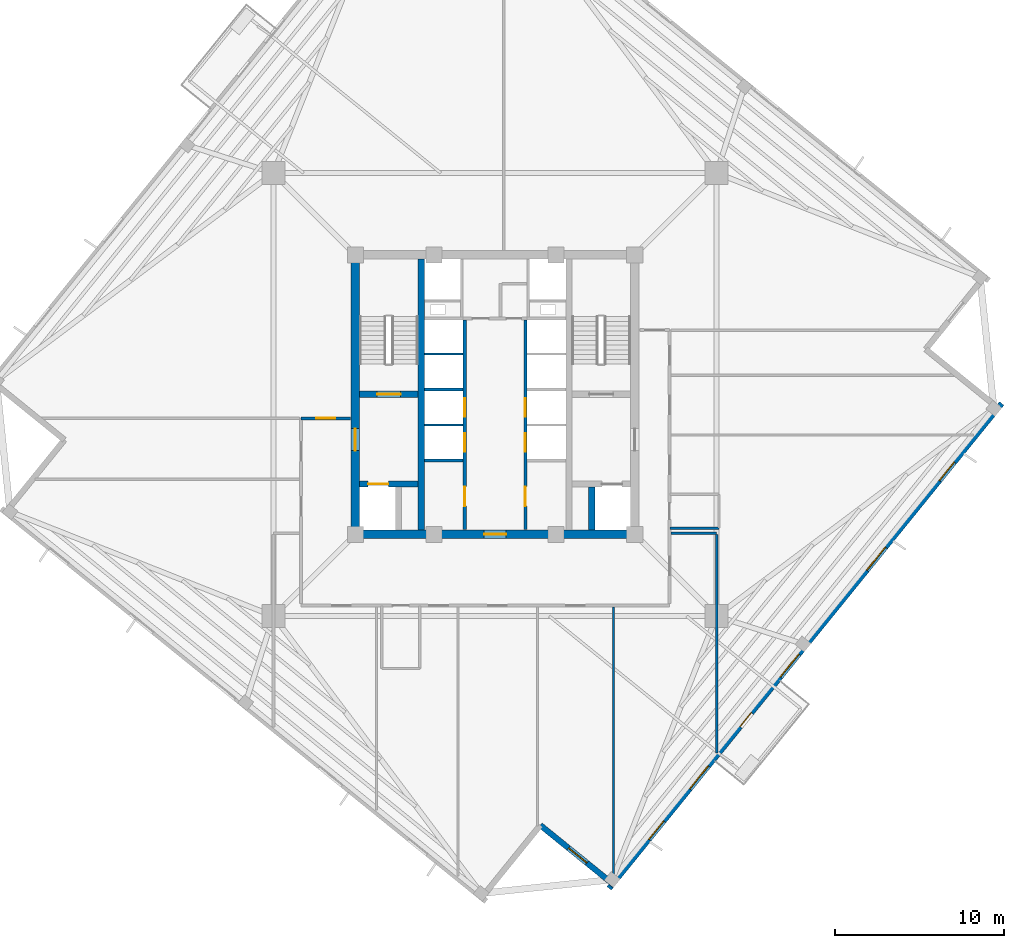
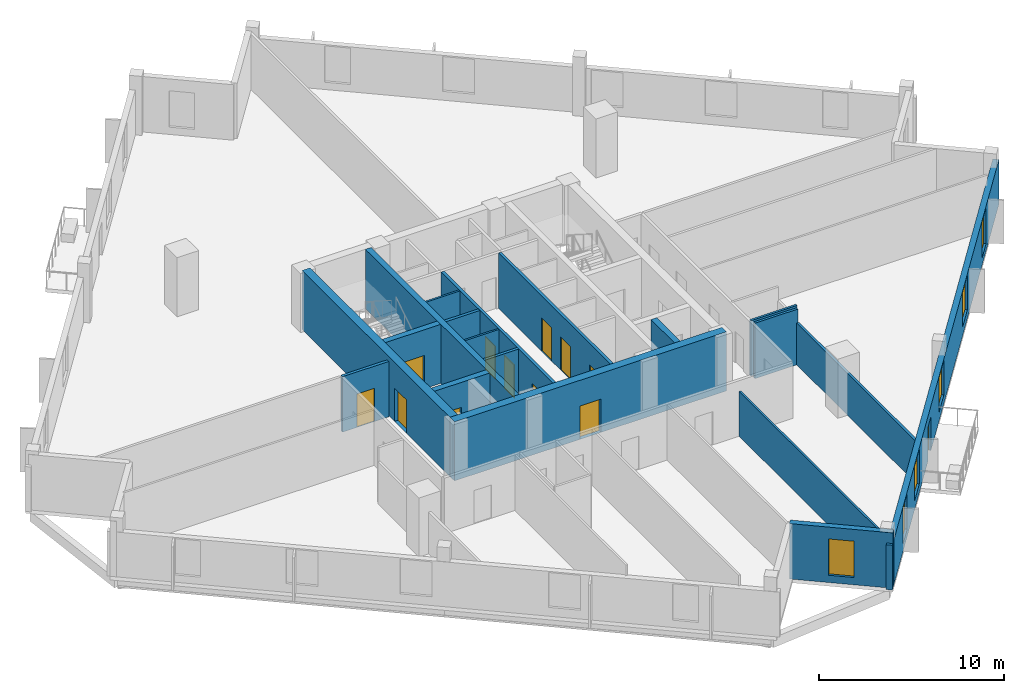
# One storey, part 3 of 9: 19 walls, 12 doors, 6 windows, 18 openings.
"""IFC4 building model written with IfcOpenShell, lengths in metres."""

from ifc_helpers import new_model, si_unit, direction, frame, frame_2d, origin, place, context, subcontext, project, spatial, rectangle, extrude, source, transform, mapped, material, layer, layer_set, type_object, element, fill, save


model = new_model("IFC4")

# Units and contexts
model_context = context("Model", 3, precision=1e-05, world=origin(), true_north=direction((0.0, 1.0)))
body_context = subcontext(model_context, "Body", "Model", "MODEL_VIEW")
ifc_project = project(units=[si_unit("LENGTHUNIT", "METRE"), si_unit("AREAUNIT", "SQUARE_METRE"), si_unit("VOLUMEUNIT", "CUBIC_METRE"), si_unit("PLANEANGLEUNIT", "RADIAN"), si_unit("MASSUNIT", "GRAM", prefix="KILO"), si_unit("THERMODYNAMICTEMPERATUREUNIT", "KELVIN")], contexts=[model_context])

# Site, building, storey
site_placement = place(None, origin())
site = spatial("IfcSite", under=ifc_project, at=site_placement, CompositionType="ELEMENT")
building_placement = place(site_placement, origin())
building = spatial("IfcBuilding", under=site, at=building_placement, Name="Kosmvard Interchange Tower", CompositionType="ELEMENT")
storey_placement = place(building_placement, frame((0.0, 0.0, 213.39990234375)))
storey = spatial("IfcBuildingStorey", under=building, at=storey_placement, Name="L51", CompositionType="ELEMENT", Elevation=213.39990234375)

# Walls
ifc_material_1 = material(Name="Acoustic gypsum partition system")
ifc_layer_1 = layer(ifc_material_1, 0.14990234375, Name="Acoustic gypsum partition system")
ifc_layer_set_1 = layer_set([ifc_layer_1], Name="Acoustic gypsum partition system")
wall_type_1 = type_object("IfcWallType", Name="Acoustic Suite & Meeting Partition 150", PredefinedType="PARTITIONING", material=ifc_layer_set_1)
wall_1_placement = place(storey_placement, frame((10.39501953125, -8.199951171875, 0.0), z_axis=(0.0, 0.0, 1.0), x_axis=(1.0, 0.0, 0.0)))
element("IfcWall", 1, at=wall_1_placement, inside=storey, type_object=wall_type_1, Name="L51 Room Partition 12.1", PredefinedType="PARTITIONING", context=body_context, shape_type="SweptSolid", body=[
    extrude(rectangle(XDim=2.68603515625, YDim=0.14990234375, at=frame_2d((1.343017578125, 0.0))), origin(), (0.0, 0.0, 1.0), 3.66015625),
])
wall_2_placement = place(storey_placement, frame((13.0810546875, -8.27490234375, 0.0), z_axis=(0.0, 0.0, 1.0), x_axis=(0.0, -1.0, 0.0)))
element("IfcWall", 2, at=wall_2_placement, inside=storey, type_object=wall_type_1, Name="L51 Room Partition 13.1", PredefinedType="PARTITIONING", context=body_context, shape_type="SweptSolid", body=[
    extrude(rectangle(XDim=12.87353515625, YDim=0.14990234375, at=frame_2d((6.436767578125, 0.0))), origin(), (0.0, 0.0, 1.0), 2.760009765625),
])

# Wall, openings, doors
ifc_material_2 = material(Name="Fire-rated gypsum partition system")
ifc_layer_2 = layer(ifc_material_2, 0.179931640625, Name="Fire-rated gypsum partition system")
ifc_layer_set_2 = layer_set([ifc_layer_2], Name="Fire-rated gypsum partition system")
wall_type_2 = type_object("IfcWallType", Name="Corridor & Hotel Compartment Partition 180", PredefinedType="PARTITIONING", material=ifc_layer_set_2)
wall_3_placement = place(storey_placement, frame((-1.7900390625, -7.97998046875, 0.0), z_axis=(0.0, 0.0, 1.0), x_axis=(0.0, 1.0, 0.0)))
wall_3 = element("IfcWall", 3, at=wall_3_placement, inside=storey, type_object=wall_type_2, Name="L51 West Lift Bank Front Wall", PredefinedType="PARTITIONING", context=body_context, shape_type="SweptSolid", body=[
    extrude(rectangle(XDim=12.3798828125, YDim=0.179931640625, at=frame_2d((6.18994140625, 0.0))), origin(), (0.0, 0.0, 1.0), 3.66015625),
])
opening_1_placement = place(wall_3_placement, frame((4.60009765625, 0.0, 0.0)))
opening_1 = element("IfcOpeningElement", 4, at=opening_1_placement, cuts=wall_3, Name="Opening LD-PL-M1-L51", PredefinedType="OPENING", context=body_context, shape_type="SweptSolid", body=[
    extrude(rectangle(XDim=1.10009765625, YDim=2.199951171875, at=frame_2d((0.550048828125, 1.10009765625))), frame((0.0, 0.10009765625, 0.0), z_axis=(0.0, -1.0, 0.0), x_axis=(1.0, 0.0, 0.0)), (0.0, 0.0, 1.0), 0.199951171875),
])
opening_2_placement = place(wall_3_placement, frame((6.659912109375, 0.0, 0.0)))
opening_2 = element("IfcOpeningElement", 5, at=opening_2_placement, cuts=wall_3, Name="Opening LD-PL-M2-L51", PredefinedType="OPENING", context=body_context, shape_type="SweptSolid", body=[
    extrude(rectangle(XDim=1.10009765625, YDim=2.199951171875, at=frame_2d((0.550048828125, 1.10009765625))), frame((0.0, 0.10009765625, 0.0), z_axis=(0.0, -1.0, 0.0), x_axis=(1.0, 0.0, 0.0)), (0.0, 0.0, 1.0), 0.199951171875),
])
opening_3_placement = place(wall_3_placement, frame((1.39990234375, 0.0, 0.0)))
opening_3 = element("IfcOpeningElement", 6, at=opening_3_placement, cuts=wall_3, Name="Opening L51-CD1", PredefinedType="OPENING", context=body_context, shape_type="SweptSolid", body=[
    extrude(rectangle(XDim=1.14990234375, YDim=2.25, at=frame_2d((0.574951171875, 1.125))), frame((0.0, 0.10009765625, 0.0), z_axis=(0.0, -1.0, 0.0), x_axis=(1.0, 0.0, 0.0)), (0.0, 0.0, 1.0), 0.199951171875),
])
ifc_material_3 = material(Name="Painted fire-rated steel leaf", Category="steel")
door_type_1 = type_object("IfcDoorType", Name="Plant & Riser Fire Door 1150x2250 EI60", OperationType="NOTDEFINED", PredefinedType="DOOR", material=ifc_material_3)
shared_shape_1 = source(origin(), body_context, "Body", "SweptSolid", [
    extrude(rectangle(XDim=1.14990234375, YDim=2.25, at=frame_2d((0.574951171875, 1.125))), frame((0.0, 0.02490234375, 0.0), z_axis=(0.0, -1.0, 0.0), x_axis=(1.0, 0.0, 0.0)), (0.0, 0.0, 1.0), 0.050048828125),
])
door_1_placement = place(opening_3_placement, origin())
door_1 = element("IfcDoor", 7, at=door_1_placement, inside=storey, type_object=door_type_1, Name="L51 Core Switch Door", OperationType="SINGLE_SWING_LEFT", OverallHeight=2.25, OverallWidth=1.14990234375, PredefinedType="DOOR", context=body_context, shape_type="MappedRepresentation", body=[
    mapped(shared_shape_1, transform((0.0, 0.0, 0.0), scale=1.0)),
])
fill(opening_3, door_1)
ifc_material_4 = material(Name="Brushed stainless steel sliding leaf", Category="steel")
door_type_2 = type_object("IfcDoorType", Name="Passenger Lift Sliding Landing Door 1100x2200 EI60", OperationType="DOUBLE_DOOR_SLIDING", PredefinedType="DOOR", material=ifc_material_4)
shared_shape_2 = source(origin(), body_context, "Body", "SweptSolid", [
    extrude(rectangle(XDim=1.10009765625, YDim=2.199951171875, at=frame_2d((0.550048828125, 1.10009765625))), frame((0.0, 0.02490234375, 0.0), z_axis=(0.0, -1.0, 0.0), x_axis=(1.0, 0.0, 0.0)), (0.0, 0.0, 1.0), 0.050048828125),
])
door_2_placement = place(opening_1_placement, frame((1.10009765625, 0.0, 0.0), z_axis=(0.0, 0.0, 1.0), x_axis=(-1.0, 0.0, 0.0)))
door_2 = element("IfcDoor", 8, at=door_2_placement, inside=storey, type_object=door_type_2, Name="Lift PL-M1 Landing Door L51", OperationType="DOUBLE_DOOR_SLIDING", OverallHeight=2.199951171875, OverallWidth=1.10009765625, PredefinedType="DOOR", context=body_context, shape_type="MappedRepresentation", body=[
    mapped(shared_shape_2, transform((0.0, 0.0, 0.0), scale=1.0)),
])
fill(opening_1, door_2)
door_3_placement = place(opening_2_placement, frame((1.10009765625, 0.0, 0.0), z_axis=(0.0, 0.0, 1.0), x_axis=(-1.0, 0.0, 0.0)))
door_3 = element("IfcDoor", 9, at=door_3_placement, inside=storey, type_object=door_type_2, Name="Lift PL-M2 Landing Door L51", OperationType="DOUBLE_DOOR_SLIDING", OverallHeight=2.199951171875, OverallWidth=1.10009765625, PredefinedType="DOOR", context=body_context, shape_type="MappedRepresentation", body=[
    mapped(shared_shape_2, transform((0.0, 0.0, 0.0), scale=1.0)),
])
fill(opening_2, door_3)

wall_4_placement = place(storey_placement, frame((1.7900390625, -7.97998046875, 0.0), z_axis=(0.0, 0.0, 1.0), x_axis=(0.0, 1.0, 0.0)))
wall_4 = element("IfcWall", 10, at=wall_4_placement, inside=storey, type_object=wall_type_2, Name="L51 East Lift Bank Front Wall", PredefinedType="PARTITIONING", context=body_context, shape_type="SweptSolid", body=[
    extrude(rectangle(XDim=12.3798828125, YDim=0.179931640625, at=frame_2d((6.18994140625, 0.0))), origin(), (0.0, 0.0, 1.0), 3.66015625),
])
opening_4_placement = place(wall_4_placement, frame((4.60009765625, 0.0, 0.0)))
opening_4 = element("IfcOpeningElement", 11, at=opening_4_placement, cuts=wall_4, Name="Opening LD-PL-M3-L51", PredefinedType="OPENING", context=body_context, shape_type="SweptSolid", body=[
    extrude(rectangle(XDim=1.10009765625, YDim=2.199951171875, at=frame_2d((0.550048828125, 1.10009765625))), frame((0.0, 0.10009765625, 0.0), z_axis=(0.0, -1.0, 0.0), x_axis=(1.0, 0.0, 0.0)), (0.0, 0.0, 1.0), 0.199951171875),
])
opening_5_placement = place(wall_4_placement, frame((6.659912109375, 0.0, 0.0)))
opening_5 = element("IfcOpeningElement", 12, at=opening_5_placement, cuts=wall_4, Name="Opening LD-PL-M4-L51", PredefinedType="OPENING", context=body_context, shape_type="SweptSolid", body=[
    extrude(rectangle(XDim=1.10009765625, YDim=2.199951171875, at=frame_2d((0.550048828125, 1.10009765625))), frame((0.0, 0.10009765625, 0.0), z_axis=(0.0, -1.0, 0.0), x_axis=(1.0, 0.0, 0.0)), (0.0, 0.0, 1.0), 0.199951171875),
])
opening_6_placement = place(wall_4_placement, frame((1.39990234375, 0.0, 0.0)))
opening_6 = element("IfcOpeningElement", 13, at=opening_6_placement, cuts=wall_4, Name="Opening L51-CD2", PredefinedType="OPENING", context=body_context, shape_type="SweptSolid", body=[
    extrude(rectangle(XDim=1.14990234375, YDim=2.25, at=frame_2d((0.574951171875, 1.125))), frame((0.0, 0.10009765625, 0.0), z_axis=(0.0, -1.0, 0.0), x_axis=(1.0, 0.0, 0.0)), (0.0, 0.0, 1.0), 0.199951171875),
])
door_4_placement = place(opening_6_placement, frame((1.14990234375, 0.0, 0.0), z_axis=(0.0, 0.0, 1.0), x_axis=(-1.0, 0.0, 0.0)))
door_4 = element("IfcDoor", 14, at=door_4_placement, inside=storey, type_object=door_type_1, Name="L51 Core BMS Door", OperationType="SINGLE_SWING_RIGHT", OverallHeight=2.25, OverallWidth=1.14990234375, PredefinedType="DOOR", context=body_context, shape_type="MappedRepresentation", body=[
    mapped(shared_shape_1, transform((0.0, 0.0, 0.0), scale=1.0)),
])
fill(opening_6, door_4)
door_5_placement = place(opening_4_placement, origin())
door_5 = element("IfcDoor", 15, at=door_5_placement, inside=storey, type_object=door_type_2, Name="Lift PL-M3 Landing Door L51", OperationType="DOUBLE_DOOR_SLIDING", OverallHeight=2.199951171875, OverallWidth=1.10009765625, PredefinedType="DOOR", context=body_context, shape_type="MappedRepresentation", body=[
    mapped(shared_shape_2, transform((0.0, 0.0, 0.0), scale=1.0)),
])
fill(opening_4, door_5)
door_6_placement = place(opening_5_placement, origin())
door_6 = element("IfcDoor", 16, at=door_6_placement, inside=storey, type_object=door_type_2, Name="Lift PL-M4 Landing Door L51", OperationType="DOUBLE_DOOR_SLIDING", OverallHeight=2.199951171875, OverallWidth=1.10009765625, PredefinedType="DOOR", context=body_context, shape_type="MappedRepresentation", body=[
    mapped(shared_shape_2, transform((0.0, 0.0, 0.0), scale=1.0)),
])
fill(opening_5, door_6)

# Wall, opening, door
wall_5_placement = place(storey_placement, frame((-11.449951171875, -1.39990234375, 0.0), z_axis=(0.0, 0.0, 1.0), x_axis=(1.0, 0.0, 0.0)))
wall_5 = element("IfcWall", 17, at=wall_5_placement, inside=storey, type_object=wall_type_2, Name="L51 Corridor Wall CNW", PredefinedType="PARTITIONING", context=body_context, shape_type="SweptSolid", body=[
    extrude(rectangle(XDim=2.89990234375, YDim=0.179931640625, at=frame_2d((1.449951171875, 0.0))), origin(), (0.0, 0.0, 1.0), 3.66015625),
])
opening_7_placement = place(wall_5_placement, frame((0.89990234375, 0.0, 0.0)))
opening_7 = element("IfcOpeningElement", 18, at=opening_7_placement, cuts=wall_5, Name="Opening L51-D03", PredefinedType="OPENING", context=body_context, shape_type="SweptSolid", body=[
    extrude(rectangle(XDim=1.10009765625, YDim=2.199951171875, at=frame_2d((0.550048828125, 1.10009765625))), frame((0.0, 0.10009765625, 0.0), z_axis=(0.0, -1.0, 0.0), x_axis=(1.0, 0.0, 0.0)), (0.0, 0.0, 1.0), 0.199951171875),
])
ifc_material_5 = material(Name="Engineered oak fire-rated timber", Category="wood")
door_type_3 = type_object("IfcDoorType", Name="Office Suite Entrance Door 1100x2200 FD30S", OperationType="NOTDEFINED", PredefinedType="DOOR", material=ifc_material_5)
door_7_placement = place(opening_7_placement, origin())
door_7 = element("IfcDoor", 19, at=door_7_placement, inside=storey, type_object=door_type_3, Name="L51 North-West Executive Advisory Workplace Door", OperationType="SINGLE_SWING_LEFT", OverallHeight=2.199951171875, OverallWidth=1.10009765625, PredefinedType="DOOR", context=body_context, shape_type="MappedRepresentation", body=[
    mapped(shared_shape_2, transform((0.0, 0.0, 0.0), scale=1.0)),
])
fill(opening_7, door_7)

# Wall, openings, door, windows
ifc_material_6 = material(Name="Precast concrete C45/55", Category="concrete")
ifc_layer_3 = layer(ifc_material_6, 0.340087890625, Name="Precast concrete C45/55")
ifc_layer_set_3 = layer_set([ifc_layer_3], Name="Precast concrete C45/55")
wall_type_3 = type_object("IfcWallType", Name="Mid Tower Precast Pier Wall 340 C45/55", PredefinedType="STANDARD", material=ifc_layer_set_3)
wall_6_placement = place(storey_placement, frame((6.73291015625, -29.154296875, 0.0), z_axis=(0.0, 0.0, 1.0), x_axis=(0.629325378072, 0.77714192302, 0.0)))
wall_6 = element("IfcWall", 20, at=wall_6_placement, inside=storey, type_object=wall_type_3, Name="L51 Precast Facade Wall F-S", PredefinedType="STANDARD", context=body_context, shape_type="SweptSolid", body=[
    extrude(rectangle(XDim=36.840087890625, YDim=0.340087890625, at=frame_2d((18.419921875, 0.0))), origin(), (0.0, 0.0, 1.0), 2.960205078125),
])
opening_8_placement = place(wall_6_placement, frame((12.294921875, 0.0, 0.0)))
opening_8 = element("IfcOpeningElement", 21, at=opening_8_placement, cuts=wall_6, Name="Opening L51-BDS", PredefinedType="OPENING", context=body_context, shape_type="SweptSolid", body=[
    extrude(rectangle(XDim=1.050048828125, YDim=2.25, at=frame_2d((0.52490234375, 1.125))), frame((0.0, 0.18017578125, 0.0), z_axis=(0.0, -1.0, 0.0), x_axis=(1.0, 0.0, 0.0)), (0.0, 0.0, 1.0), 0.360107421875),
])
opening_9_placement = place(wall_6_placement, frame((3.720703125, 0.0, 0.47998046875)))
opening_9 = element("IfcOpeningElement", 22, at=opening_9_placement, cuts=wall_6, Name="Opening L51-W01", PredefinedType="OPENING", context=body_context, shape_type="SweptSolid", body=[
    extrude(rectangle(XDim=1.39990234375, YDim=2.39990234375, at=frame_2d((0.699951171875, 1.199951171875))), frame((0.0, 0.18017578125, 0.0), z_axis=(0.0, -1.0, 0.0), x_axis=(1.0, 0.0, 0.0)), (0.0, 0.0, 1.0), 0.360107421875),
])
opening_10_placement = place(wall_6_placement, frame((7.55859375, 0.0, 0.580078125)))
opening_10 = element("IfcOpeningElement", 23, at=opening_10_placement, cuts=wall_6, Name="Opening L51-W02", PredefinedType="OPENING", context=body_context, shape_type="SweptSolid", body=[
    extrude(rectangle(XDim=1.75, YDim=2.300048828125, at=frame_2d((0.875, 1.14990234375))), frame((0.0, 0.18017578125, 0.0), z_axis=(0.0, -1.0, 0.0), x_axis=(1.0, 0.0, 0.0)), (0.0, 0.0, 1.0), 0.360107421875),
])
opening_11_placement = place(wall_6_placement, frame((16.05810546875, 0.0, 0.580078125)))
opening_11 = element("IfcOpeningElement", 24, at=opening_11_placement, cuts=wall_6, Name="Opening L51-W03", PredefinedType="OPENING", context=body_context, shape_type="SweptSolid", body=[
    extrude(rectangle(XDim=1.75, YDim=2.300048828125, at=frame_2d((0.875, 1.14990234375))), frame((0.0, 0.18017578125, 0.0), z_axis=(0.0, -1.0, 0.0), x_axis=(1.0, 0.0, 0.0)), (0.0, 0.0, 1.0), 0.360107421875),
])
opening_12_placement = place(wall_6_placement, frame((24.17626953125, 0.0, 0.580078125)))
opening_12 = element("IfcOpeningElement", 25, at=opening_12_placement, cuts=wall_6, Name="Opening L51-W04", PredefinedType="OPENING", context=body_context, shape_type="SweptSolid", body=[
    extrude(rectangle(XDim=1.75, YDim=2.300048828125, at=frame_2d((0.875, 1.14990234375))), frame((0.0, 0.18017578125, 0.0), z_axis=(0.0, -1.0, 0.0), x_axis=(1.0, 0.0, 0.0)), (0.0, 0.0, 1.0), 0.360107421875),
])
opening_13_placement = place(wall_6_placement, frame((30.982421875, 0.0, 0.47998046875)))
opening_13 = element("IfcOpeningElement", 26, at=opening_13_placement, cuts=wall_6, Name="Opening L51-W05", PredefinedType="OPENING", context=body_context, shape_type="SweptSolid", body=[
    extrude(rectangle(XDim=1.39990234375, YDim=2.39990234375, at=frame_2d((0.699951171875, 1.199951171875))), frame((0.0, 0.18017578125, 0.0), z_axis=(0.0, -1.0, 0.0), x_axis=(1.0, 0.0, 0.0)), (0.0, 0.0, 1.0), 0.360107421875),
])
ifc_material_7 = material(Name="Anodised aluminium and safety glass", Category="aluminium")
door_type_4 = type_object("IfcDoorType", Name="Tree-Balcony Glazed Door 1050x2250", OperationType="NOTDEFINED", PredefinedType="DOOR", material=ifc_material_7)
shared_shape_3 = source(origin(), body_context, "Body", "SweptSolid", [
    extrude(rectangle(XDim=1.050048828125, YDim=2.25, at=frame_2d((0.52490234375, 1.125))), frame((0.0, 0.02490234375, 0.0), z_axis=(0.0, -1.0, 0.0), x_axis=(1.0, 0.0, 0.0)), (0.0, 0.0, 1.0), 0.050048828125),
])
door_8_placement = place(opening_8_placement, origin())
door_8 = element("IfcDoor", 27, at=door_8_placement, inside=storey, type_object=door_type_4, Name="L51 Tree-Balcony Door BAL-L51-S", OperationType="SINGLE_SWING_RIGHT", OverallHeight=2.25, OverallWidth=1.050048828125, PredefinedType="DOOR", context=body_context, shape_type="MappedRepresentation", body=[
    mapped(shared_shape_3, transform((0.0, 0.0, 0.0), scale=1.0)),
])
fill(opening_8, door_8)
ifc_material_8 = material(Name="Low-E solar-control double glazing", Category="glass")
window_type_1 = type_object("IfcWindowType", Name="Notched Corner Feature Window 1400x2400", PartitioningType="SINGLE_PANEL", PredefinedType="WINDOW", material=ifc_material_8)
shared_shape_4 = source(origin(), body_context, "Body", "SweptSolid", [
    extrude(rectangle(XDim=1.39990234375, YDim=2.39990234375, at=frame_2d((0.699951171875, 1.199951171875))), frame((0.0, 0.030029296875, 0.0), z_axis=(0.0, -1.0, 0.0), x_axis=(1.0, 0.0, 0.0)), (0.0, 0.0, 1.0), 0.06005859375),
])
window_1_placement = place(opening_9_placement, origin())
window_1 = element("IfcWindow", 28, at=window_1_placement, inside=storey, type_object=window_type_1, Name="L51 Facade Punched Window 01", OverallHeight=2.39990234375, OverallWidth=1.39990234375, PartitioningType="SINGLE_PANEL", PredefinedType="WINDOW", context=body_context, shape_type="MappedRepresentation", body=[
    mapped(shared_shape_4, transform((0.0, 0.0, 0.0), scale=1.0)),
])
fill(opening_9, window_1)
window_2_placement = place(opening_13_placement, origin())
window_2 = element("IfcWindow", 29, at=window_2_placement, inside=storey, type_object=window_type_1, Name="L51 Facade Punched Window 05", OverallHeight=2.39990234375, OverallWidth=1.39990234375, PartitioningType="SINGLE_PANEL", PredefinedType="WINDOW", context=body_context, shape_type="MappedRepresentation", body=[
    mapped(shared_shape_4, transform((0.0, 0.0, 0.0), scale=1.0)),
])
fill(opening_13, window_2)
window_type_2 = type_object("IfcWindowType", Name="Zone 4 Suite Punched Window 1750x2300", PartitioningType="SINGLE_PANEL", PredefinedType="WINDOW", material=ifc_material_8)
shared_shape_5 = source(origin(), body_context, "Body", "SweptSolid", [
    extrude(rectangle(XDim=1.75, YDim=2.300048828125, at=frame_2d((0.875, 1.14990234375))), frame((0.0, 0.030029296875, 0.0), z_axis=(0.0, -1.0, 0.0), x_axis=(1.0, 0.0, 0.0)), (0.0, 0.0, 1.0), 0.06005859375),
])
window_3_placement = place(opening_10_placement, origin())
window_3 = element("IfcWindow", 30, at=window_3_placement, inside=storey, type_object=window_type_2, Name="L51 Facade Punched Window 02", OverallHeight=2.300048828125, OverallWidth=1.75, PartitioningType="SINGLE_PANEL", PredefinedType="WINDOW", context=body_context, shape_type="MappedRepresentation", body=[
    mapped(shared_shape_5, transform((0.0, 0.0, 0.0), scale=1.0)),
])
fill(opening_10, window_3)
window_4_placement = place(opening_11_placement, origin())
window_4 = element("IfcWindow", 31, at=window_4_placement, inside=storey, type_object=window_type_2, Name="L51 Facade Punched Window 03", OverallHeight=2.300048828125, OverallWidth=1.75, PartitioningType="SINGLE_PANEL", PredefinedType="WINDOW", context=body_context, shape_type="MappedRepresentation", body=[
    mapped(shared_shape_5, transform((0.0, 0.0, 0.0), scale=1.0)),
])
fill(opening_11, window_4)
window_5_placement = place(opening_12_placement, origin())
window_5 = element("IfcWindow", 32, at=window_5_placement, inside=storey, type_object=window_type_2, Name="L51 Facade Punched Window 04", OverallHeight=2.300048828125, OverallWidth=1.75, PartitioningType="SINGLE_PANEL", PredefinedType="WINDOW", context=body_context, shape_type="MappedRepresentation", body=[
    mapped(shared_shape_5, transform((0.0, 0.0, 0.0), scale=1.0)),
])
fill(opening_12, window_5)

# Wall, opening, window
wall_7_placement = place(storey_placement, frame((2.672607421875, -25.428955078125, 0.0), z_axis=(0.0, 0.0, 1.0), x_axis=(0.777162640055, -0.629299794138, 0.0)))
wall_7 = element("IfcWall", 33, at=wall_7_placement, inside=storey, type_object=wall_type_3, Name="L51 Precast Facade Wall N-SW2", PredefinedType="STANDARD", context=body_context, shape_type="SweptSolid", body=[
    extrude(rectangle(XDim=5.669921875, YDim=0.340087890625, at=frame_2d((2.8349609375, 0.0))), origin(), (0.0, 0.0, 1.0), 3.66015625),
])
opening_14_placement = place(wall_7_placement, frame((2.135009765625, 0.0, 0.47998046875)))
opening_14 = element("IfcOpeningElement", 34, at=opening_14_placement, cuts=wall_7, Name="Opening L51-W23", PredefinedType="OPENING", context=body_context, shape_type="SweptSolid", body=[
    extrude(rectangle(XDim=1.39990234375, YDim=2.39990234375, at=frame_2d((0.699951171875, 1.199951171875))), frame((0.0, 0.18017578125, 0.0), z_axis=(0.0, -1.0, 0.0), x_axis=(1.0, 0.0, 0.0)), (0.0, 0.0, 1.0), 0.360107421875),
])
window_6_placement = place(opening_14_placement, origin())
window_6 = element("IfcWindow", 35, at=window_6_placement, inside=storey, type_object=window_type_1, Name="L51 Corner Notch Window 23", OverallHeight=2.39990234375, OverallWidth=1.39990234375, PartitioningType="SINGLE_PANEL", PredefinedType="WINDOW", context=body_context, shape_type="MappedRepresentation", body=[
    mapped(shared_shape_4, transform((0.0, 0.0, 0.0), scale=1.0)),
])
fill(opening_14, window_6)

# Walls
ifc_material_9 = material(Name="Gypsum board partition system")
ifc_layer_4 = layer(ifc_material_9, 0.1201171875, Name="Gypsum board partition system")
ifc_layer_set_4 = layer_set([ifc_layer_4], Name="Gypsum board partition system")
wall_type_4 = type_object("IfcWallType", Name="Office Cellular Partition 120", PredefinedType="PARTITIONING", material=ifc_layer_set_4)
wall_8_placement = place(storey_placement, frame((7.0, -28.657958984375, 0.0), z_axis=(0.0, 0.0, 1.0), x_axis=(0.0, 1.0, 0.0)))
element("IfcWall", 36, at=wall_8_placement, inside=storey, type_object=wall_type_4, Name="L51 Room Partition 11.1", PredefinedType="PARTITIONING", context=body_context, shape_type="SweptSolid", body=[
    extrude(rectangle(XDim=16.113037109375, YDim=0.1201171875, at=frame_2d((8.056640625, 0.0))), origin(), (0.0, 0.0, 1.0), 2.960205078125),
])
ifc_material_10 = material(Name="Concrete blockwork masonry", Category="masonry")
ifc_layer_5 = layer(ifc_material_10, 0.179931640625, Name="Concrete blockwork masonry")
ifc_layer_set_5 = layer_set([ifc_layer_5], Name="Concrete blockwork masonry")
wall_type_5 = type_object("IfcWallType", Name="Riser & Lift Bank Divider Wall 180", PredefinedType="PARTITIONING", material=ifc_layer_set_5)
for number, where, z_axis, x_axis, name in (
    (37, (-4.169921875, -3.89990234375, 0.0), (0.0, 0.0, 1.0), (1.0, 0.0, 0.0), "L51 West Bank Divider BD1"),
    (38, (-4.169921875, 0.300048828125, 0.0), (0.0, 0.0, 1.0), (1.0, 0.0, 0.0), "L51 West Bank Divider BD2"),
):
    element("IfcWall", number, at=place(storey_placement, frame(where, z_axis=z_axis, x_axis=x_axis)), inside=storey, type_object=wall_type_5, Name=name, PredefinedType="PARTITIONING", context=body_context, shape_type="SweptSolid", body=[
        extrude(rectangle(XDim=2.280029296875, YDim=0.179931640625, at=frame_2d((1.14013671875, 0.0))), origin(), (0.0, 0.0, 1.0), 3.66015625),
    ])
ifc_material_11 = material(Name="Fire-rated gypsum shaftwall system")
ifc_layer_6 = layer(ifc_material_11, 0.1201171875, Name="Fire-rated gypsum shaftwall system")
ifc_layer_set_6 = layer_set([ifc_layer_6], Name="Fire-rated gypsum shaftwall system")
wall_type_6 = type_object("IfcWallType", Name="Shaft & Riser Fire Partition 120 EI60", PredefinedType="PARTITIONING", material=ifc_layer_set_6)
for number, where, z_axis, x_axis, name in (
    (39, (-4.159912109375, -1.800048828125, 0.0), (0.0, 0.0, 1.0), (1.0, 0.0, 0.0), "L51 Shaft Divider PL-M1"),
    (40, (-4.159912109375, 2.39990234375, 0.0), (0.0, 0.0, 1.0), (1.0, 0.0, 0.0), "L51 Shaft Divider PL-H1"),
):
    element("IfcWall", number, at=place(storey_placement, frame(where, z_axis=z_axis, x_axis=x_axis)), inside=storey, type_object=wall_type_6, Name=name, PredefinedType="PARTITIONING", context=body_context, shape_type="SweptSolid", body=[
        extrude(rectangle(XDim=2.260009765625, YDim=0.1201171875, at=frame_2d((1.1298828125, 0.0))), origin(), (0.0, 0.0, 1.0), 3.66015625),
    ])
ifc_material_12 = material(Name="Concrete C60/75", Category="concrete")
ifc_layer_7 = layer(ifc_material_12, 0.360107421875, Name="Concrete C60/75")
ifc_layer_set_7 = layer_set([ifc_layer_7], Name="Concrete C60/75")
wall_type_7 = type_object("IfcWallType", Name="Stair & Lift Shaft Shear Wall 360 C60/75", PredefinedType="SHEAR", material=ifc_layer_set_7)
wall_9_placement = place(storey_placement, frame((-4.360107421875, -8.0, 0.0), z_axis=(0.0, 0.0, 1.0), x_axis=(0.0, 1.0, 0.0)))
element("IfcWall", 41, at=wall_9_placement, inside=storey, type_object=wall_type_7, Name="L51 Shaft Shear Wall SW-W", PredefinedType="SHEAR", context=body_context, shape_type="SweptSolid", body=[
    extrude(rectangle(XDim=16.0, YDim=0.360107421875, at=frame_2d((8.0, 0.0))), origin(), (0.0, 0.0, 1.0), 3.900146484375),
])

# Wall, opening, door
wall_10_placement = place(storey_placement, frame((-8.0, 0.02001953125, 0.0), z_axis=(0.0, 0.0, 1.0), x_axis=(1.0, 0.0, 0.0)))
wall_10 = element("IfcWall", 42, at=wall_10_placement, inside=storey, type_object=wall_type_7, Name="L51 Shaft Shear Wall SW-ST1", PredefinedType="SHEAR", context=body_context, shape_type="SweptSolid", body=[
    extrude(rectangle(XDim=3.4599609375, YDim=0.360107421875, at=frame_2d((1.72998046875, 0.0))), origin(), (0.0, 0.0, 1.0), 3.900146484375),
])
opening_15_placement = place(wall_10_placement, frame((1.030029296875, 0.0, 0.0)))
opening_15 = element("IfcOpeningElement", 43, at=opening_15_placement, cuts=wall_10, Name="Opening L51-SD1", PredefinedType="OPENING", context=body_context, shape_type="SweptSolid", body=[
    extrude(rectangle(XDim=1.39990234375, YDim=2.199951171875, at=frame_2d((0.699951171875, 1.10009765625))), frame((0.0, 0.18994140625, 0.0), z_axis=(0.0, -1.0, 0.0), x_axis=(1.0, 0.0, 0.0)), (0.0, 0.0, 1.0), 0.380126953125),
])
door_type_5 = type_object("IfcDoorType", Name="Protected Stair Door 1400x2200 FD60S", OperationType="NOTDEFINED", PredefinedType="DOOR", material=ifc_material_3)
shared_shape_6 = source(origin(), body_context, "Body", "SweptSolid", [
    extrude(rectangle(XDim=1.39990234375, YDim=2.199951171875, at=frame_2d((0.699951171875, 1.10009765625))), frame((0.0, 0.02490234375, 0.0), z_axis=(0.0, -1.0, 0.0), x_axis=(1.0, 0.0, 0.0)), (0.0, 0.0, 1.0), 0.050048828125),
])
door_9_placement = place(opening_15_placement, origin())
door_9 = element("IfcDoor", 44, at=door_9_placement, inside=storey, type_object=door_type_5, Name="L51 Stair ST-1 Enclosure Door", OperationType="SINGLE_SWING_LEFT", OverallHeight=2.199951171875, OverallWidth=1.39990234375, PredefinedType="DOOR", context=body_context, shape_type="MappedRepresentation", body=[
    mapped(shared_shape_6, transform((0.0, 0.0, 0.0), scale=1.0)),
])
fill(opening_15, door_9)

wall_11_placement = place(storey_placement, frame((-8.0, -5.280029296875, 0.0), z_axis=(0.0, 0.0, 1.0), x_axis=(1.0, 0.0, 0.0)))
wall_11 = element("IfcWall", 45, at=wall_11_placement, inside=storey, type_object=wall_type_7, Name="L51 Shaft Shear Wall SW-FF1", PredefinedType="SHEAR", context=body_context, shape_type="SweptSolid", body=[
    extrude(rectangle(XDim=3.4599609375, YDim=0.360107421875, at=frame_2d((1.72998046875, 0.0))), origin(), (0.0, 0.0, 1.0), 3.900146484375),
])
opening_16_placement = place(wall_11_placement, frame((0.5, 0.0, 0.0)))
opening_16 = element("IfcOpeningElement", 46, at=opening_16_placement, cuts=wall_11, Name="Opening LD-FF-1-L51", PredefinedType="OPENING", context=body_context, shape_type="SweptSolid", body=[
    extrude(rectangle(XDim=1.199951171875, YDim=2.25, at=frame_2d((0.60009765625, 1.125))), frame((0.0, 0.18994140625, 0.0), z_axis=(0.0, -1.0, 0.0), x_axis=(1.0, 0.0, 0.0)), (0.0, 0.0, 1.0), 0.380126953125),
])
door_type_6 = type_object("IfcDoorType", Name="Firefighting Lift Sliding Landing Door 1200x2250 EI120", OperationType="DOUBLE_DOOR_SLIDING", PredefinedType="DOOR", material=ifc_material_4)
shared_shape_7 = source(origin(), body_context, "Body", "SweptSolid", [
    extrude(rectangle(XDim=1.199951171875, YDim=2.25, at=frame_2d((0.60009765625, 1.125))), frame((0.0, 0.02490234375, 0.0), z_axis=(0.0, -1.0, 0.0), x_axis=(1.0, 0.0, 0.0)), (0.0, 0.0, 1.0), 0.050048828125),
])
door_10_placement = place(opening_16_placement, origin())
door_10 = element("IfcDoor", 47, at=door_10_placement, inside=storey, type_object=door_type_6, Name="Lift FF-1 Landing Door L51", OperationType="DOUBLE_DOOR_SLIDING", OverallHeight=2.25, OverallWidth=1.199951171875, PredefinedType="DOOR", context=body_context, shape_type="MappedRepresentation", body=[
    mapped(shared_shape_7, transform((0.0, 0.0, 0.0), scale=1.0)),
])
fill(opening_16, door_10)

# Wall
wall_12_placement = place(storey_placement, frame((5.7099609375, -8.0, 0.0), z_axis=(0.0, 0.0, 1.0), x_axis=(0.0, 1.0, 0.0)))
element("IfcWall", 48, at=wall_12_placement, inside=storey, type_object=wall_type_7, Name="L51 Shaft Shear Wall SW-SM2", PredefinedType="SHEAR", context=body_context, shape_type="SweptSolid", body=[
    extrude(rectangle(XDim=2.5400390625, YDim=0.360107421875, at=frame_2d((1.27001953125, 0.0))), origin(), (0.0, 0.0, 1.0), 3.900146484375),
])

# Wall, opening, door
ifc_layer_8 = layer(ifc_material_12, 0.5, Name="Concrete C60/75")
ifc_layer_set_8 = layer_set([ifc_layer_8], Name="Concrete C60/75")
wall_type_8 = type_object("IfcWallType", Name="Upper Core Shear Wall 500 C60/75", PredefinedType="SHEAR", material=ifc_layer_set_8)
wall_13_placement = place(storey_placement, frame((-8.5, -8.25, 0.0), z_axis=(0.0, 0.0, 1.0), x_axis=(1.0, 0.0, 0.0)))
wall_13 = element("IfcWall", 49, at=wall_13_placement, inside=storey, type_object=wall_type_8, Name="L51 Core Shear Wall CW-S", PredefinedType="SHEAR", context=body_context, shape_type="SweptSolid", body=[
    extrude(rectangle(XDim=17.0, YDim=0.5, at=frame_2d((8.5, 0.0))), origin(), (0.0, 0.0, 1.0), 3.900146484375),
])
opening_17_placement = place(wall_13_placement, frame((7.85009765625, 0.0, 0.0)))
opening_17 = element("IfcOpeningElement", 50, at=opening_17_placement, cuts=wall_13, Name="Opening L51-LD0", PredefinedType="OPENING", context=body_context, shape_type="SweptSolid", body=[
    extrude(rectangle(XDim=1.300048828125, YDim=2.199951171875, at=frame_2d((0.64990234375, 1.10009765625))), frame((0.0, 0.260009765625, 0.0), z_axis=(0.0, -1.0, 0.0), x_axis=(1.0, 0.0, 0.0)), (0.0, 0.0, 1.0), 0.52001953125),
])
door_type_7 = type_object("IfcDoorType", Name="Firefighting Lobby Door 1300x2200 EI60", OperationType="NOTDEFINED", PredefinedType="DOOR", material=ifc_material_3)
shared_shape_8 = source(origin(), body_context, "Body", "SweptSolid", [
    extrude(rectangle(XDim=1.300048828125, YDim=2.199951171875, at=frame_2d((0.64990234375, 1.10009765625))), frame((0.0, 0.02490234375, 0.0), z_axis=(0.0, -1.0, 0.0), x_axis=(1.0, 0.0, 0.0)), (0.0, 0.0, 1.0), 0.050048828125),
])
door_11_placement = place(opening_17_placement, frame((1.300048828125, 0.0, 0.0), z_axis=(0.0, 0.0, 1.0), x_axis=(-1.0, 0.0, 0.0)))
door_11 = element("IfcDoor", 51, at=door_11_placement, inside=storey, type_object=door_type_7, Name="L51 Passenger Lift Lobby South Door", OperationType="SINGLE_SWING_RIGHT", OverallHeight=2.199951171875, OverallWidth=1.300048828125, PredefinedType="DOOR", context=body_context, shape_type="MappedRepresentation", body=[
    mapped(shared_shape_8, transform((0.0, 0.0, 0.0), scale=1.0)),
])
fill(opening_17, door_11)

wall_14_placement = place(storey_placement, frame((-8.25, -8.0, 0.0), z_axis=(0.0, 0.0, 1.0), x_axis=(0.0, 1.0, 0.0)))
wall_14 = element("IfcWall", 52, at=wall_14_placement, inside=storey, type_object=wall_type_8, Name="L51 Core Shear Wall CW-W", PredefinedType="SHEAR", context=body_context, shape_type="SweptSolid", body=[
    extrude(rectangle(XDim=16.0, YDim=0.5, at=frame_2d((8.0, 0.0))), origin(), (0.0, 0.0, 1.0), 3.900146484375),
])
opening_18_placement = place(wall_14_placement, frame((4.68994140625, 0.0, 0.0)))
opening_18 = element("IfcOpeningElement", 53, at=opening_18_placement, cuts=wall_14, Name="Opening L51-FD1", PredefinedType="OPENING", context=body_context, shape_type="SweptSolid", body=[
    extrude(rectangle(XDim=1.300048828125, YDim=2.199951171875, at=frame_2d((0.64990234375, 1.10009765625))), frame((0.0, 0.260009765625, 0.0), z_axis=(0.0, -1.0, 0.0), x_axis=(1.0, 0.0, 0.0)), (0.0, 0.0, 1.0), 0.52001953125),
])
door_12_placement = place(opening_18_placement, frame((1.300048828125, 0.0, 0.0), z_axis=(0.0, 0.0, 1.0), x_axis=(-1.0, 0.0, 0.0)))
door_12 = element("IfcDoor", 54, at=door_12_placement, inside=storey, type_object=door_type_7, Name="L51 Firefighting Lobby West Door", OperationType="SINGLE_SWING_LEFT", OverallHeight=2.199951171875, OverallWidth=1.300048828125, PredefinedType="DOOR", context=body_context, shape_type="MappedRepresentation", body=[
    mapped(shared_shape_8, transform((0.0, 0.0, 0.0), scale=1.0)),
])
fill(opening_18, door_12)

# Wall
ifc_material_13 = material(Name="Moisture-resistant gypsum partition")
ifc_layer_9 = layer(ifc_material_13, 0.135009765625, Name="Moisture-resistant gypsum partition")
ifc_layer_set_9 = layer_set([ifc_layer_9], Name="Moisture-resistant gypsum partition")
wall_type_9 = type_object("IfcWallType", Name="Wet Room Moisture-Resistant Partition 135", PredefinedType="PARTITIONING", material=ifc_layer_set_9)
wall_15_placement = place(storey_placement, frame((10.320068359375, -7.888916015625, 0.0), z_axis=(0.0, 0.0, 1.0), x_axis=(1.0, 0.0, 0.0)))
element("IfcWall", 55, at=wall_15_placement, inside=storey, type_object=wall_type_9, Name="L51 Washroom Partition AWC1-S", PredefinedType="PARTITIONING", context=body_context, shape_type="SweptSolid", body=[
    extrude(rectangle(XDim=2.89990234375, YDim=0.135009765625, at=frame_2d((1.449951171875, 0.0))), origin(), (0.0, 0.0, 1.0), 3.66015625),
])

save(model, "model.ifc")
